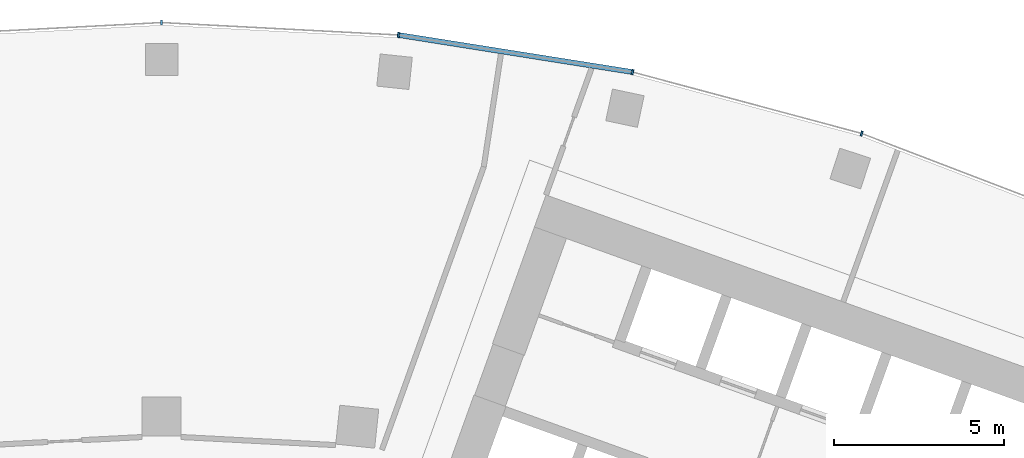
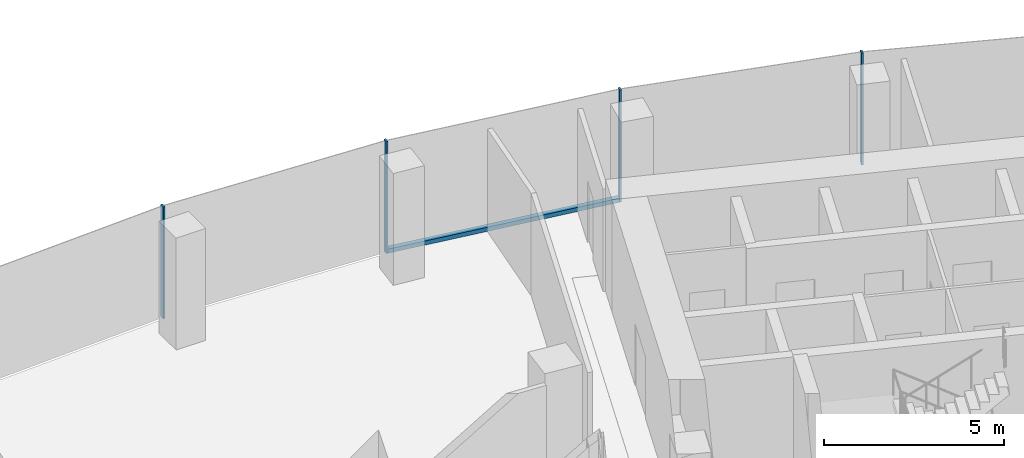
# One storey, part 6 of 17: 5 members, 1 element without a shape of its own.
"""IFC4 building model written with IfcOpenShell, lengths in metres."""

import ifcopenshell
import ifcopenshell.guid

model = None  # the IFC model being written
_history = None  # IfcOwnerHistory: only IFC2X3 demands one
_inside = {}  # id of a spatial element -> (the spatial element, [elements in it])
_under = {}  # id of a project, library or spatial element -> (it, [spatial elements below it])
_declared = {}  # id of a project -> (the project, [libraries it declares])
_typed = {}  # id of a type object -> (the type object, [elements of that type])
_made_of = {}  # id of a material, layer set ... -> (it, [elements and type objects made of it])


def new_model(schema):
    """Start an empty IFC model of exactly this schema.

    Asked for "IFC4X3", IfcOpenShell would pick the latest addendum, in which some entities
    have other attributes; the version numbers below select the first issue.
    IFC2X3 requires an IfcOwnerHistory on every rooted entity: one is made here for all.
    """
    global model, _history
    if schema == "IFC4X3":
        model = ifcopenshell.file(schema_version=(4, 3, 0, 0))
    else:
        model = ifcopenshell.file(schema=schema)
    _inside.clear()
    _under.clear()
    _declared.clear()
    _typed.clear()
    _made_of.clear()
    _history = None
    if model.schema == "IFC2X3":
        org = make("IfcOrganization", Name="unknown")
        user = make(
            "IfcPersonAndOrganization",
            ThePerson=make("IfcPerson", FamilyName="unknown"),
            TheOrganization=org,
        )
        app = make(
            "IfcApplication",
            ApplicationDeveloper=org,
            Version="unknown",
            ApplicationFullName="unknown",
            ApplicationIdentifier="unknown",
        )
        _history = make(
            "IfcOwnerHistory",
            OwningUser=user,
            OwningApplication=app,
            ChangeAction="ADDED",
            CreationDate=0,
        )
    return model


def make(cls, **values):
    """One entity of the class cls with the attributes given. An attribute that is None is left unset."""
    return model.create_entity(
        cls, **{name: value for name, value in values.items() if value is not None}
    )


def rooted(cls, **values):
    """An entity with a GlobalId (a new one), such as an element, a storey or a relation."""
    return make(cls, GlobalId=ifcopenshell.guid.new(), OwnerHistory=_history, **values)


def si_unit(unit_type, name, prefix=None):
    """IfcSIUnit, for example si_unit("LENGTHUNIT", "METRE", prefix="MILLI")."""
    return make("IfcSIUnit", UnitType=unit_type, Prefix=prefix, Name=name)


def assignment(units):
    """IfcUnitAssignment: the units of a project."""
    return None if units is None else make("IfcUnitAssignment", Units=units)


def point(xyz):
    """IfcCartesianPoint."""
    return None if xyz is None else make("IfcCartesianPoint", Coordinates=xyz)


def direction(xyz):
    """IfcDirection."""
    return None if xyz is None else make("IfcDirection", DirectionRatios=xyz)


def frame(location, z_axis=None, x_axis=None):
    """IfcAxis2Placement3D, a coordinate frame: its origin and axes. An axis left out is left unset."""
    return make(
        "IfcAxis2Placement3D",
        Location=point(location),
        Axis=direction(z_axis),
        RefDirection=direction(x_axis),
    )


def frame_2d(location, x_axis=None):
    """IfcAxis2Placement2D, a coordinate frame in the plane: its origin and x axis."""
    return make(
        "IfcAxis2Placement2D", Location=point(location), RefDirection=direction(x_axis)
    )


def origin():
    """The frame at (0, 0, 0) with its axes left unset."""
    return frame((0.0, 0.0, 0.0))


def origin_2d():
    """The frame at (0, 0) in the plane with its x axis left unset."""
    return frame_2d((0.0, 0.0))


def place(relative_to, where):
    """IfcLocalPlacement: puts the frame where relative to a parent placement (None: the world)."""
    return make(
        "IfcLocalPlacement", PlacementRelTo=relative_to, RelativePlacement=where
    )


def context(
    kind, dimensions, precision=None, world=None, true_north=None, identifier=None
):
    """IfcGeometricRepresentationContext, for example the 3D "Model" context."""
    return make(
        "IfcGeometricRepresentationContext",
        ContextIdentifier=identifier,
        ContextType=kind,
        CoordinateSpaceDimension=dimensions,
        Precision=precision,
        WorldCoordinateSystem=world,
        TrueNorth=true_north,
    )


def subcontext(parent, identifier, kind, view, scale=None):
    """IfcGeometricRepresentationSubContext, for example "Body" below "Model"."""
    return make(
        "IfcGeometricRepresentationSubContext",
        ContextIdentifier=identifier,
        ContextType=kind,
        ParentContext=parent,
        TargetScale=scale,
        TargetView=view,
    )


def project(units=None, contexts=None):
    """IfcProject with its units and contexts."""
    return rooted(
        "IfcProject",
        Name="project",
        RepresentationContexts=contexts,
        UnitsInContext=assignment(units),
    )


def spatial(cls, under=None, at=None, **own):
    """A site, building, storey or space (cls), placed at a placement, below another one or the project."""
    s = rooted(cls, ObjectPlacement=at, **own)
    if under is not None:
        _under.setdefault(under.id(), (under, []))[1].append(s)
    return s


def profile(cls, at=None, kind="AREA", **sizes):
    """A parametric profile (cls). Its sizes go by their IFC names, for example OverallWidth=200.0."""
    return make(cls, ProfileType=kind, Position=at, **sizes)


def rectangle(**sizes):
    """IfcRectangleProfileDef."""
    return profile("IfcRectangleProfileDef", **sizes)


def extrude(swept, where, along, depth):
    """IfcExtrudedAreaSolid: the profile swept, set in the frame where, extruded along a direction by depth."""
    return make(
        "IfcExtrudedAreaSolid",
        SweptArea=swept,
        Position=where,
        ExtrudedDirection=direction(along),
        Depth=depth,
    )


def shape(context_of_items, identifier, shape_type, items):
    """IfcShapeRepresentation: the items that make up one representation, for example the "Body"."""
    return make(
        "IfcShapeRepresentation",
        ContextOfItems=context_of_items,
        RepresentationIdentifier=identifier,
        RepresentationType=shape_type,
        Items=items,
    )


def material(Name=None, Category=None):
    """IfcMaterial."""
    return make("IfcMaterial", Name=Name, Category=Category)


def layer(
    of_material, thickness, ventilated=None, Name=None, Category=None, Priority=None
):
    """IfcMaterialLayer: one layer of a wall or slab, of a material (None: an air gap)."""
    return make(
        "IfcMaterialLayer",
        Material=of_material,
        LayerThickness=thickness,
        IsVentilated=ventilated,
        Name=Name,
        Category=Category,
        Priority=Priority,
    )


def layer_set(layers, Name=None):
    """IfcMaterialLayerSet."""
    return make("IfcMaterialLayerSet", MaterialLayers=layers, LayerSetName=Name)


def material_profile(
    of_material, cross_section, Name=None, Category=None, Priority=None
):
    """IfcMaterialProfile: a cross section and its material."""
    return make(
        "IfcMaterialProfile",
        Name=Name,
        Material=of_material,
        Profile=cross_section,
        Priority=Priority,
        Category=Category,
    )


def profile_set(profiles, Name=None, composite=None):
    """IfcMaterialProfileSet."""
    return make(
        "IfcMaterialProfileSet",
        Name=Name,
        MaterialProfiles=profiles,
        CompositeProfile=composite,
    )


def made_of(thing, what):
    """Note that an element or type object is made of a material, layer set ...; save() writes the relation."""
    if what is not None:
        _made_of.setdefault(what.id(), (what, []))[1].append(thing)
    return thing


def type_object(cls, material=None, **own):
    """A type object (cls), such as IfcWallType, which elements share."""
    return made_of(rooted(cls, **own), material)


def element(
    cls,
    number,
    at=None,
    inside=None,
    cuts=None,
    type_object=None,
    material=None,
    context=None,
    identifier="Body",
    shape_type=None,
    held_by="IfcProductDefinitionShape",
    body=None,
    shapes=None,
    **own,
):
    """One element of the class cls, such as IfcWall. Its Tag is "e" and its number.

    at: its placement. inside: the storey or other place that contains it. cuts: it is an
    opening in that element (IfcRelVoidsElement). A single representation is given by context,
    identifier, shape_type and body (its items); several are given by shapes. held_by: the class
    of the entity that holds the representations. save() writes the other relations.
    """
    e = rooted(cls, Tag="e%d" % number, ObjectPlacement=at, **own)
    if body is not None:
        shapes = [shape(context, identifier, shape_type, body)]
    if shapes is not None:
        e.Representation = make(held_by, Representations=shapes)
    if inside is not None:
        _inside.setdefault(inside.id(), (inside, []))[1].append(e)
    if cuts is not None:
        rooted(
            "IfcRelVoidsElement", RelatingBuildingElement=cuts, RelatedOpeningElement=e
        )
    if type_object is not None:
        _typed.setdefault(type_object.id(), (type_object, []))[1].append(e)
    return made_of(e, material)


def aggregate(whole, parts):
    """IfcRelAggregates: a whole, such as a stair, and the parts it consists of."""
    return rooted("IfcRelAggregates", RelatingObject=whole, RelatedObjects=parts)


def save(model, path):
    """Write the relations noted so far, then the file.

    IfcRelAggregates (storeys below a building ...), IfcRelContainedInSpatialStructure (elements
    in a storey), IfcRelDefinesByType, IfcRelAssociatesMaterial and IfcRelDeclares: one each for
    every whole, place, type object, material and project.
    """
    for whole, parts in _under.values():
        aggregate(whole, parts)
    for where, things in _inside.values():
        rooted(
            "IfcRelContainedInSpatialStructure",
            RelatedElements=things,
            RelatingStructure=where,
        )
    for kind, things in _typed.values():
        rooted("IfcRelDefinesByType", RelatedObjects=things, RelatingType=kind)
    for what, things in _made_of.values():
        rooted("IfcRelAssociatesMaterial", RelatedObjects=things, RelatingMaterial=what)
    for by, libraries in _declared.values():
        rooted("IfcRelDeclares", RelatingContext=by, RelatedDefinitions=libraries)
    model.write(path)


model = new_model("IFC4")

# Units and contexts
model_context = context("Model", 3, precision=1e-05, world=origin(), true_north=direction((0.0, 1.0)))
body_context = subcontext(model_context, "Body", "Model", "MODEL_VIEW")
ifc_project = project(units=[si_unit("LENGTHUNIT", "METRE"), si_unit("AREAUNIT", "SQUARE_METRE"), si_unit("VOLUMEUNIT", "CUBIC_METRE"), si_unit("PLANEANGLEUNIT", "RADIAN"), si_unit("MASSUNIT", "GRAM", prefix="KILO")], contexts=[model_context])

# Site, building, storey
site_placement = place(None, origin())
site = spatial("IfcSite", under=ifc_project, at=site_placement, CompositionType="ELEMENT")
building_placement = place(site_placement, origin())
building = spatial("IfcBuilding", under=site, at=building_placement, Name="Stone Belt Terrace Tower", CompositionType="ELEMENT")
storey_placement = place(building_placement, frame((0.0, 0.0, 231.39990234375)))
storey = spatial("IfcBuildingStorey", under=building, at=storey_placement, Name="L56", CompositionType="ELEMENT", Elevation=231.39990234375)

# Curtain wall, members
ifc_material = material(Name="Aluminium 6063-T6 anodised frame", Category="aluminium")
ifc_layer = layer(ifc_material, 0.14990234375)
ifc_layer_set = layer_set([ifc_layer], Name="CW-A unitised convex-face curtain wall")
curtain_wall_type = type_object("IfcCurtainWallType", Name="CW-A unitised convex-face curtain wall", PredefinedType="NOTDEFINED", material=ifc_layer_set)
curtain_wall_placement = place(storey_placement, origin())
curtain_wall = element("IfcCurtainWall", 1, at=curtain_wall_placement, inside=storey, type_object=curtain_wall_type, Name="CW-A convex face L56", PredefinedType="NOTDEFINED")
ifc_material_profile_1 = material_profile(ifc_material, rectangle(XDim=0.14990234375, YDim=0.06005859375, at=origin_2d()), Name="Aluminium 6063-T6 60x150")
ifc_profile_set_1 = profile_set([ifc_material_profile_1], Name="Aluminium 6063-T6 anodised frame")
member_type_1 = type_object("IfcMemberType", Name="CW-A mullion 60 x 150", PredefinedType="MULLION", material=ifc_profile_set_1)
member_1_placement = place(storey_placement, frame((20.57275390625, 63.316650390625, 0.0), z_axis=(0.0, 0.0, 1.0), x_axis=(-0.309016994375, -0.951056516295, 0.0)))
member_1 = element("IfcMember", 2, at=member_1_placement, type_object=member_type_1, Name="CW-A mullion 6", PredefinedType="MULLION", context=body_context, shape_type="SweptSolid", body=[
    extrude(rectangle(XDim=0.14990234375, YDim=0.06005859375, at=origin_2d()), origin(), (0.0, 0.0, 1.0), 3.800048828125),
])
member_2_placement = place(storey_placement, frame((13.841796875, 65.120361328125, 0.0), z_axis=(0.0, 0.0, 1.0), x_axis=(-0.207911690818, -0.978147600734, 0.0)))
member_2 = element("IfcMember", 3, at=member_2_placement, type_object=member_type_1, Name="CW-A mullion 7", PredefinedType="MULLION", context=body_context, shape_type="SweptSolid", body=[
    extrude(rectangle(XDim=0.14990234375, YDim=0.06005859375, at=origin_2d()), origin(), (0.0, 0.0, 1.0), 3.800048828125),
])
member_3_placement = place(storey_placement, frame((6.958984375, 66.21044921875, 0.0), z_axis=(0.0, 0.0, 1.0), x_axis=(-0.104528463268, -0.994521895368, 0.0)))
member_3 = element("IfcMember", 4, at=member_3_placement, type_object=member_type_1, Name="CW-A mullion 8", PredefinedType="MULLION", context=body_context, shape_type="SweptSolid", body=[
    extrude(rectangle(XDim=0.14990234375, YDim=0.06005859375, at=origin_2d()), origin(), (0.0, 0.0, 1.0), 3.800048828125),
])
member_4_placement = place(storey_placement, frame((0.0, 66.5751953125, 0.0), z_axis=(0.0, 0.0, 1.0), x_axis=(0.0, -1.0, 0.0)))
member_4 = element("IfcMember", 5, at=member_4_placement, type_object=member_type_1, Name="CW-A mullion 9", PredefinedType="MULLION", context=body_context, shape_type="SweptSolid", body=[
    extrude(rectangle(XDim=0.14990234375, YDim=0.06005859375, at=origin_2d()), origin(), (0.0, 0.0, 1.0), 3.800048828125),
])
ifc_material_profile_2 = material_profile(ifc_material, rectangle(XDim=0.14990234375, YDim=0.139892578125, at=origin_2d()), Name="Aluminium 6063-T6 150x140")
ifc_profile_set_2 = profile_set([ifc_material_profile_2], Name="Aluminium 6063-T6 anodised frame")
member_type_2 = type_object("IfcMemberType", Name="CW-A transom 140 x 150", PredefinedType="USERDEFINED", material=ifc_profile_set_2)
member_5_placement = place(storey_placement, frame((13.808349609375, 65.12548828125, 0.070068359375), z_axis=(-0.987687120531, 0.156442168027, 0.0), x_axis=(-0.156442168027, -0.987687120531, 0.0)))
member_5 = element("IfcMember", 6, at=member_5_placement, type_object=member_type_2, Name="CW-A transom 7.1", ObjectType="TRANSOM", PredefinedType="USERDEFINED", context=body_context, shape_type="SweptSolid", body=[
    extrude(rectangle(XDim=0.14990234375, YDim=0.139892578125, at=origin_2d()), origin(), (0.0, 0.0, 1.0), 6.90087890625),
])
aggregate(curtain_wall, [member_1, member_2, member_3, member_4, member_5])

save(model, "model.ifc")
